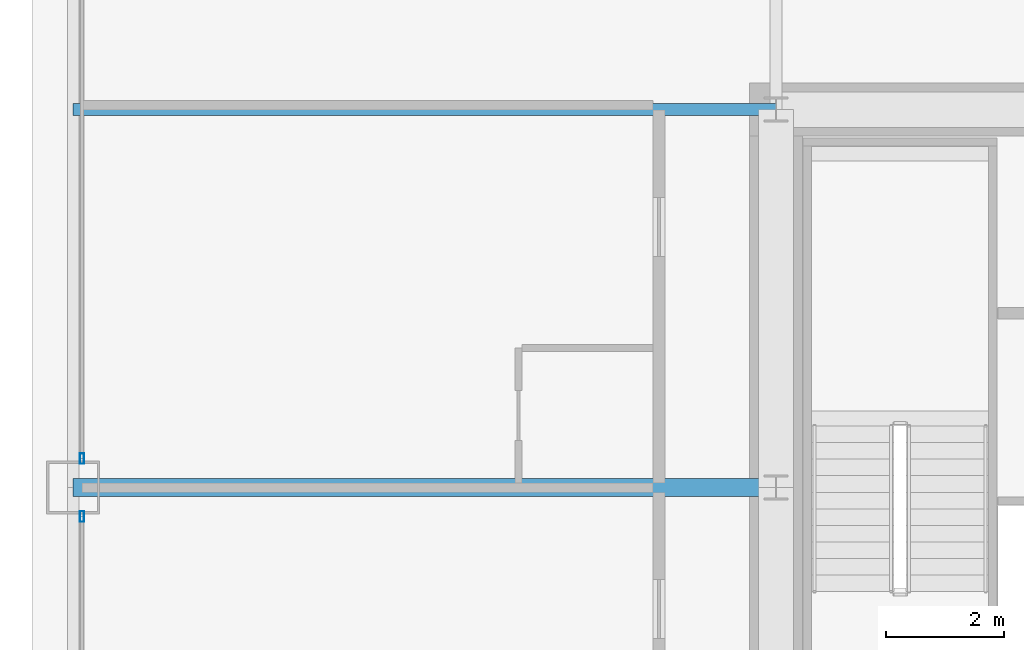
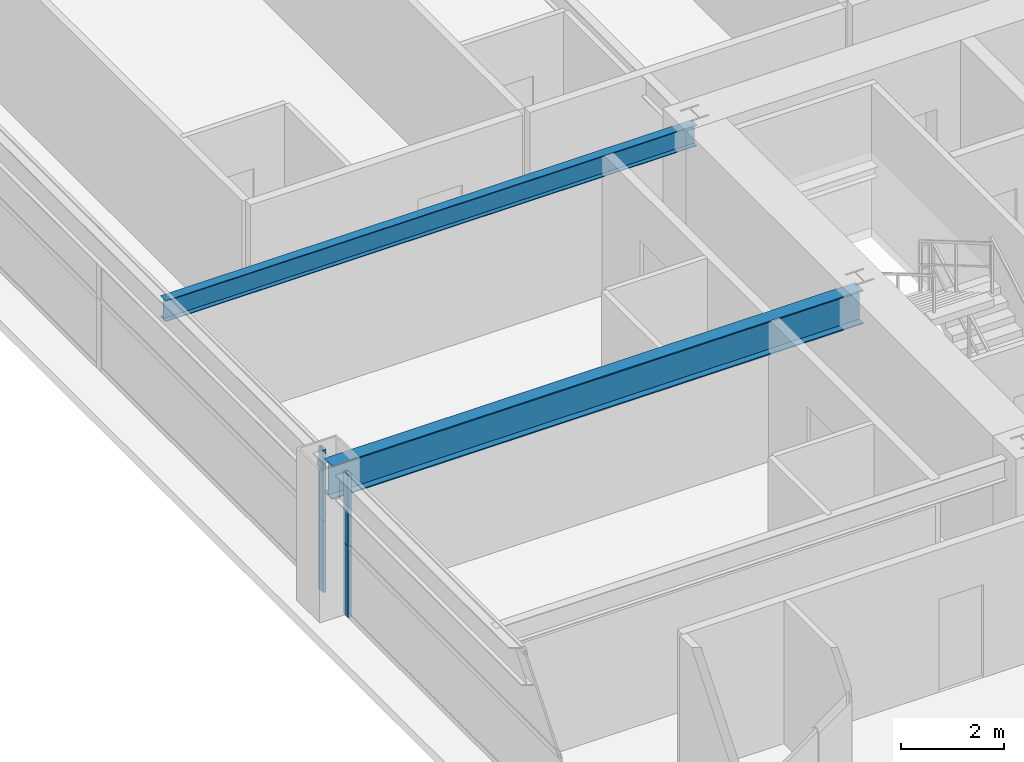
# One storey, part 11 of 43: 4 members, 2 beams, 2 elements without a shape of their own.
"""IFC4 building model written with IfcOpenShell, lengths in metres."""

import ifcopenshell
import ifcopenshell.guid

model = None  # the IFC model being written
_history = None  # IfcOwnerHistory: only IFC2X3 demands one
_inside = {}  # id of a spatial element -> (the spatial element, [elements in it])
_under = {}  # id of a project, library or spatial element -> (it, [spatial elements below it])
_declared = {}  # id of a project -> (the project, [libraries it declares])
_typed = {}  # id of a type object -> (the type object, [elements of that type])
_made_of = {}  # id of a material, layer set ... -> (it, [elements and type objects made of it])


def new_model(schema):
    """Start an empty IFC model of exactly this schema.

    Asked for "IFC4X3", IfcOpenShell would pick the latest addendum, in which some entities
    have other attributes; the version numbers below select the first issue.
    IFC2X3 requires an IfcOwnerHistory on every rooted entity: one is made here for all.
    """
    global model, _history
    if schema == "IFC4X3":
        model = ifcopenshell.file(schema_version=(4, 3, 0, 0))
    else:
        model = ifcopenshell.file(schema=schema)
    _inside.clear()
    _under.clear()
    _declared.clear()
    _typed.clear()
    _made_of.clear()
    _history = None
    if model.schema == "IFC2X3":
        org = make("IfcOrganization", Name="unknown")
        user = make(
            "IfcPersonAndOrganization",
            ThePerson=make("IfcPerson", FamilyName="unknown"),
            TheOrganization=org,
        )
        app = make(
            "IfcApplication",
            ApplicationDeveloper=org,
            Version="unknown",
            ApplicationFullName="unknown",
            ApplicationIdentifier="unknown",
        )
        _history = make(
            "IfcOwnerHistory",
            OwningUser=user,
            OwningApplication=app,
            ChangeAction="ADDED",
            CreationDate=0,
        )
    return model


def make(cls, **values):
    """One entity of the class cls with the attributes given. An attribute that is None is left unset."""
    return model.create_entity(
        cls, **{name: value for name, value in values.items() if value is not None}
    )


def rooted(cls, **values):
    """An entity with a GlobalId (a new one), such as an element, a storey or a relation."""
    return make(cls, GlobalId=ifcopenshell.guid.new(), OwnerHistory=_history, **values)


def si_unit(unit_type, name, prefix=None):
    """IfcSIUnit, for example si_unit("LENGTHUNIT", "METRE", prefix="MILLI")."""
    return make("IfcSIUnit", UnitType=unit_type, Prefix=prefix, Name=name)


def assignment(units):
    """IfcUnitAssignment: the units of a project."""
    return None if units is None else make("IfcUnitAssignment", Units=units)


def point(xyz):
    """IfcCartesianPoint."""
    return None if xyz is None else make("IfcCartesianPoint", Coordinates=xyz)


def direction(xyz):
    """IfcDirection."""
    return None if xyz is None else make("IfcDirection", DirectionRatios=xyz)


def frame(location, z_axis=None, x_axis=None):
    """IfcAxis2Placement3D, a coordinate frame: its origin and axes. An axis left out is left unset."""
    return make(
        "IfcAxis2Placement3D",
        Location=point(location),
        Axis=direction(z_axis),
        RefDirection=direction(x_axis),
    )


def frame_2d(location, x_axis=None):
    """IfcAxis2Placement2D, a coordinate frame in the plane: its origin and x axis."""
    return make(
        "IfcAxis2Placement2D", Location=point(location), RefDirection=direction(x_axis)
    )


def origin():
    """The frame at (0, 0, 0) with its axes left unset."""
    return frame((0.0, 0.0, 0.0))


def origin_2d():
    """The frame at (0, 0) in the plane with its x axis left unset."""
    return frame_2d((0.0, 0.0))


def place(relative_to, where):
    """IfcLocalPlacement: puts the frame where relative to a parent placement (None: the world)."""
    return make(
        "IfcLocalPlacement", PlacementRelTo=relative_to, RelativePlacement=where
    )


def context(
    kind, dimensions, precision=None, world=None, true_north=None, identifier=None
):
    """IfcGeometricRepresentationContext, for example the 3D "Model" context."""
    return make(
        "IfcGeometricRepresentationContext",
        ContextIdentifier=identifier,
        ContextType=kind,
        CoordinateSpaceDimension=dimensions,
        Precision=precision,
        WorldCoordinateSystem=world,
        TrueNorth=true_north,
    )


def subcontext(parent, identifier, kind, view, scale=None):
    """IfcGeometricRepresentationSubContext, for example "Body" below "Model"."""
    return make(
        "IfcGeometricRepresentationSubContext",
        ContextIdentifier=identifier,
        ContextType=kind,
        ParentContext=parent,
        TargetScale=scale,
        TargetView=view,
    )


def project(units=None, contexts=None):
    """IfcProject with its units and contexts."""
    return rooted(
        "IfcProject",
        Name="project",
        RepresentationContexts=contexts,
        UnitsInContext=assignment(units),
    )


def spatial(cls, under=None, at=None, **own):
    """A site, building, storey or space (cls), placed at a placement, below another one or the project."""
    s = rooted(cls, ObjectPlacement=at, **own)
    if under is not None:
        _under.setdefault(under.id(), (under, []))[1].append(s)
    return s


def profile(cls, at=None, kind="AREA", **sizes):
    """A parametric profile (cls). Its sizes go by their IFC names, for example OverallWidth=200.0."""
    return make(cls, ProfileType=kind, Position=at, **sizes)


def hollow_rectangle(**sizes):
    """IfcRectangleHollowProfileDef."""
    return profile("IfcRectangleHollowProfileDef", **sizes)


def i_section(**sizes):
    """IfcIShapeProfileDef."""
    return profile("IfcIShapeProfileDef", **sizes)


def extrude(swept, where, along, depth):
    """IfcExtrudedAreaSolid: the profile swept, set in the frame where, extruded along a direction by depth."""
    return make(
        "IfcExtrudedAreaSolid",
        SweptArea=swept,
        Position=where,
        ExtrudedDirection=direction(along),
        Depth=depth,
    )


def shape(context_of_items, identifier, shape_type, items):
    """IfcShapeRepresentation: the items that make up one representation, for example the "Body"."""
    return make(
        "IfcShapeRepresentation",
        ContextOfItems=context_of_items,
        RepresentationIdentifier=identifier,
        RepresentationType=shape_type,
        Items=items,
    )


def source(mapping_origin, context_of_items, identifier, shape_type, items):
    """IfcRepresentationMap: a shape defined once, which mapped items show again and again."""
    return make(
        "IfcRepresentationMap",
        MappingOrigin=mapping_origin,
        MappedRepresentation=shape(context_of_items, identifier, shape_type, items),
    )


def transform(
    local_origin,
    x_axis=None,
    y_axis=None,
    z_axis=None,
    scale=None,
    scale2=None,
    scale3=None,
    uniform=True,
):
    """IfcCartesianTransformationOperator3D, or its non-uniform kind. x_axis, y_axis, z_axis: its Axis1, 2, 3."""
    if uniform:
        return make(
            "IfcCartesianTransformationOperator3D",
            Axis1=direction(x_axis),
            Axis2=direction(y_axis),
            LocalOrigin=point(local_origin),
            Scale=scale,
            Axis3=direction(z_axis),
        )
    return make(
        "IfcCartesianTransformationOperator3DnonUniform",
        Axis1=direction(x_axis),
        Axis2=direction(y_axis),
        LocalOrigin=point(local_origin),
        Scale=scale,
        Axis3=direction(z_axis),
        Scale2=scale2,
        Scale3=scale3,
    )


def mapped(mapping_source, mapping_target):
    """IfcMappedItem: shows the shape of a source again, moved by a transform."""
    return make(
        "IfcMappedItem", MappingSource=mapping_source, MappingTarget=mapping_target
    )


def material(Name=None, Category=None):
    """IfcMaterial."""
    return make("IfcMaterial", Name=Name, Category=Category)


def layer(
    of_material, thickness, ventilated=None, Name=None, Category=None, Priority=None
):
    """IfcMaterialLayer: one layer of a wall or slab, of a material (None: an air gap)."""
    return make(
        "IfcMaterialLayer",
        Material=of_material,
        LayerThickness=thickness,
        IsVentilated=ventilated,
        Name=Name,
        Category=Category,
        Priority=Priority,
    )


def layer_set(layers, Name=None):
    """IfcMaterialLayerSet."""
    return make("IfcMaterialLayerSet", MaterialLayers=layers, LayerSetName=Name)


def material_profile(
    of_material, cross_section, Name=None, Category=None, Priority=None
):
    """IfcMaterialProfile: a cross section and its material."""
    return make(
        "IfcMaterialProfile",
        Name=Name,
        Material=of_material,
        Profile=cross_section,
        Priority=Priority,
        Category=Category,
    )


def profile_set(profiles, Name=None, composite=None):
    """IfcMaterialProfileSet."""
    return make(
        "IfcMaterialProfileSet",
        Name=Name,
        MaterialProfiles=profiles,
        CompositeProfile=composite,
    )


def made_of(thing, what):
    """Note that an element or type object is made of a material, layer set ...; save() writes the relation."""
    if what is not None:
        _made_of.setdefault(what.id(), (what, []))[1].append(thing)
    return thing


def type_object(cls, material=None, **own):
    """A type object (cls), such as IfcWallType, which elements share."""
    return made_of(rooted(cls, **own), material)


def element(
    cls,
    number,
    at=None,
    inside=None,
    cuts=None,
    type_object=None,
    material=None,
    context=None,
    identifier="Body",
    shape_type=None,
    held_by="IfcProductDefinitionShape",
    body=None,
    shapes=None,
    **own,
):
    """One element of the class cls, such as IfcWall. Its Tag is "e" and its number.

    at: its placement. inside: the storey or other place that contains it. cuts: it is an
    opening in that element (IfcRelVoidsElement). A single representation is given by context,
    identifier, shape_type and body (its items); several are given by shapes. held_by: the class
    of the entity that holds the representations. save() writes the other relations.
    """
    e = rooted(cls, Tag="e%d" % number, ObjectPlacement=at, **own)
    if body is not None:
        shapes = [shape(context, identifier, shape_type, body)]
    if shapes is not None:
        e.Representation = make(held_by, Representations=shapes)
    if inside is not None:
        _inside.setdefault(inside.id(), (inside, []))[1].append(e)
    if cuts is not None:
        rooted(
            "IfcRelVoidsElement", RelatingBuildingElement=cuts, RelatedOpeningElement=e
        )
    if type_object is not None:
        _typed.setdefault(type_object.id(), (type_object, []))[1].append(e)
    return made_of(e, material)


def aggregate(whole, parts):
    """IfcRelAggregates: a whole, such as a stair, and the parts it consists of."""
    return rooted("IfcRelAggregates", RelatingObject=whole, RelatedObjects=parts)


def save(model, path):
    """Write the relations noted so far, then the file.

    IfcRelAggregates (storeys below a building ...), IfcRelContainedInSpatialStructure (elements
    in a storey), IfcRelDefinesByType, IfcRelAssociatesMaterial and IfcRelDeclares: one each for
    every whole, place, type object, material and project.
    """
    for whole, parts in _under.values():
        aggregate(whole, parts)
    for where, things in _inside.values():
        rooted(
            "IfcRelContainedInSpatialStructure",
            RelatedElements=things,
            RelatingStructure=where,
        )
    for kind, things in _typed.values():
        rooted("IfcRelDefinesByType", RelatedObjects=things, RelatingType=kind)
    for what, things in _made_of.values():
        rooted("IfcRelAssociatesMaterial", RelatedObjects=things, RelatingMaterial=what)
    for by, libraries in _declared.values():
        rooted("IfcRelDeclares", RelatingContext=by, RelatedDefinitions=libraries)
    model.write(path)


model = new_model("IFC4")

# Units and contexts
model_context = context("Model", 3, precision=1e-05, world=origin(), true_north=direction((0.0, 1.0)))
body_context = subcontext(model_context, "Body", "Model", "MODEL_VIEW")
ifc_project = project(units=[si_unit("LENGTHUNIT", "METRE"), si_unit("AREAUNIT", "SQUARE_METRE"), si_unit("VOLUMEUNIT", "CUBIC_METRE"), si_unit("PLANEANGLEUNIT", "RADIAN"), si_unit("MASSUNIT", "GRAM", prefix="KILO"), si_unit("THERMODYNAMICTEMPERATUREUNIT", "KELVIN"), si_unit("POWERUNIT", "WATT")], contexts=[model_context])

# Site, building, storey
site_placement = place(None, origin())
site = spatial("IfcSite", under=ifc_project, at=site_placement, CompositionType="ELEMENT")
building_placement = place(site_placement, origin())
building = spatial("IfcBuilding", under=site, at=building_placement, Name="Yuzanri Waterfront Tower", CompositionType="ELEMENT")
storey_placement = place(building_placement, frame((0.0, 0.0, 53.199951171875)))
storey = spatial("IfcBuildingStorey", under=building, at=storey_placement, Name="L13", CompositionType="ELEMENT", Elevation=53.199951171875)

# Beams
ifc_material_1 = material(Name="Steel Q355B", Category="steel")
ifc_material_profile_1 = material_profile(ifc_material_1, i_section(OverallWidth=0.300048828125, OverallDepth=0.800048828125, WebThickness=0.013916015625, FlangeThickness=0.02587890625, at=origin_2d()), Name="HN 800x300x14x26")
ifc_profile_set_1 = profile_set([ifc_material_profile_1], Name="Steel Q355B")
beam_type_1 = type_object("IfcBeamType", Name="Primary Floor Girder Q355B HN 800x300", PredefinedType="BEAM", material=ifc_profile_set_1)
shared_shape_1 = source(origin(), body_context, "Body", "SweptSolid", [
    extrude(i_section(OverallWidth=0.300048828125, OverallDepth=0.800048828125, WebThickness=0.013916015625, FlangeThickness=0.02587890625, at=origin_2d()), origin(), (0.0, 0.0, 1.0), 11.900146484375),
])
beam_1_placement = place(storey_placement, frame((23.800048828125, 25.800048828125, 2.97998046875), z_axis=(-1.0, 0.0, 0.0), x_axis=(0.0, -1.0, 0.0)))
element("IfcBeam", 1, at=beam_1_placement, inside=storey, type_object=beam_type_1, Name="L13 West Grid Girder", PredefinedType="BEAM", context=body_context, shape_type="MappedRepresentation", body=[
    mapped(shared_shape_1, transform((0.0, 0.0, 0.0), scale=1.0)),
])
ifc_material_2 = material(Name="Steel Q355B", Category="steel")
ifc_material_profile_2 = material_profile(ifc_material_2, i_section(OverallWidth=0.199951171875, OverallDepth=0.5, WebThickness=0.010009765625, FlangeThickness=0.01611328125, at=origin_2d()), Name="HN 500x200x10x16")
ifc_profile_set_2 = profile_set([ifc_material_profile_2], Name="Steel Q355B")
beam_type_2 = type_object("IfcBeamType", Name="Secondary Floor Beam Q355B HN 500x200", PredefinedType="BEAM", material=ifc_profile_set_2)
shared_shape_2 = source(origin(), body_context, "Body", "SweptSolid", [
    extrude(i_section(OverallWidth=0.199951171875, OverallDepth=0.5, WebThickness=0.010009765625, FlangeThickness=0.01611328125, at=origin_2d()), origin(), (0.0, 0.0, 1.0), 11.900146484375),
])
beam_2_placement = place(storey_placement, frame((23.800048828125, 32.199951171875, 3.130126953125), z_axis=(-1.0, 0.0, 0.0), x_axis=(0.0, -1.0, 0.0)))
element("IfcBeam", 2, at=beam_2_placement, inside=storey, type_object=beam_type_2, Name="L13 West-North Core Line Beam", PredefinedType="BEAM", context=body_context, shape_type="MappedRepresentation", body=[
    mapped(shared_shape_2, transform((0.0, 0.0, 0.0), scale=1.0)),
])

# Curtain wall, members
ifc_material_3 = material(Name="Anodized Architectural Bronze", Category="metal")
ifc_layer = layer(ifc_material_3, 0.159912109375)
ifc_layer_set = layer_set([ifc_layer], Name="Anodized Architectural Bronze")
curtain_wall_type = type_object("IfcCurtainWallType", Name="Anodized Bronze Hotel Lower-Tier Recessed Unitized Curtain Wall 8100", PredefinedType="NOTDEFINED", material=ifc_layer_set)
curtain_wall_1_placement = place(storey_placement, origin())
curtain_wall_1 = element("IfcCurtainWall", 3, at=curtain_wall_1_placement, inside=storey, type_object=curtain_wall_type, Name="L13 Curtain Wall CW-L13-WL", PredefinedType="NOTDEFINED")
ifc_material_4 = material(Name="Anodized Architectural Bronze", Category="metal")
ifc_material_profile_3 = material_profile(ifc_material_4, hollow_rectangle(XDim=0.070068359375, YDim=0.179931640625, WallThickness=0.00390625, at=origin_2d()), Name="CWM 70x180")
ifc_profile_set_3 = profile_set([ifc_material_profile_3], Name="Anodized Architectural Bronze")
member_type = type_object("IfcMemberType", Name="Anodized Bronze Standard Curtain-Wall Mullion 70x180", PredefinedType="MULLION", material=ifc_profile_set_3)
shared_shape_3 = source(origin(), body_context, "Body", "SweptSolid", [
    extrude(hollow_rectangle(XDim=0.070068359375, YDim=0.179931640625, WallThickness=0.00390625, at=origin_2d()), origin(), (0.0, 0.0, 1.0), 1.68798828125),
])
member_1_placement = place(storey_placement, frame((12.050048828125, 25.31005859375, 0.0), z_axis=(0.0, 0.0, 1.0), x_axis=(1.0, 0.0, 0.0)))
member_1 = element("IfcMember", 4, at=member_1_placement, type_object=member_type, Name="CW-L13-WL Lower Mullion 02", PredefinedType="MULLION", context=body_context, shape_type="MappedRepresentation", body=[
    mapped(shared_shape_3, transform((0.0, 0.0, 0.0), scale=1.0)),
])
member_2_placement = place(storey_placement, frame((12.050048828125, 25.31005859375, 1.692138671875), z_axis=(0.0, 0.0, 1.0), x_axis=(1.0, 0.0, 0.0)))
member_2 = element("IfcMember", 5, at=member_2_placement, type_object=member_type, Name="CW-L13-WL Upper Mullion 02", PredefinedType="MULLION", context=body_context, shape_type="MappedRepresentation", body=[
    mapped(shared_shape_3, transform((0.0, 0.0, 0.0), scale=1.0)),
])
aggregate(curtain_wall_1, [member_1, member_2])

curtain_wall_2_placement = place(storey_placement, origin())
curtain_wall_2 = element("IfcCurtainWall", 6, at=curtain_wall_2_placement, inside=storey, type_object=curtain_wall_type, Name="L13 Curtain Wall CW-L13-WR", PredefinedType="NOTDEFINED")
member_3_placement = place(storey_placement, frame((12.050048828125, 26.2900390625, 0.0), z_axis=(0.0, 0.0, 1.0), x_axis=(1.0, 0.0, 0.0)))
member_3 = element("IfcMember", 7, at=member_3_placement, type_object=member_type, Name="CW-L13-WR Lower Mullion 00", PredefinedType="MULLION", context=body_context, shape_type="MappedRepresentation", body=[
    mapped(shared_shape_3, transform((0.0, 0.0, 0.0), scale=1.0)),
])
member_4_placement = place(storey_placement, frame((12.050048828125, 26.2900390625, 1.692138671875), z_axis=(0.0, 0.0, 1.0), x_axis=(1.0, 0.0, 0.0)))
member_4 = element("IfcMember", 8, at=member_4_placement, type_object=member_type, Name="CW-L13-WR Upper Mullion 00", PredefinedType="MULLION", context=body_context, shape_type="MappedRepresentation", body=[
    mapped(shared_shape_3, transform((0.0, 0.0, 0.0), scale=1.0)),
])
aggregate(curtain_wall_2, [member_3, member_4])

save(model, "model.ifc")
